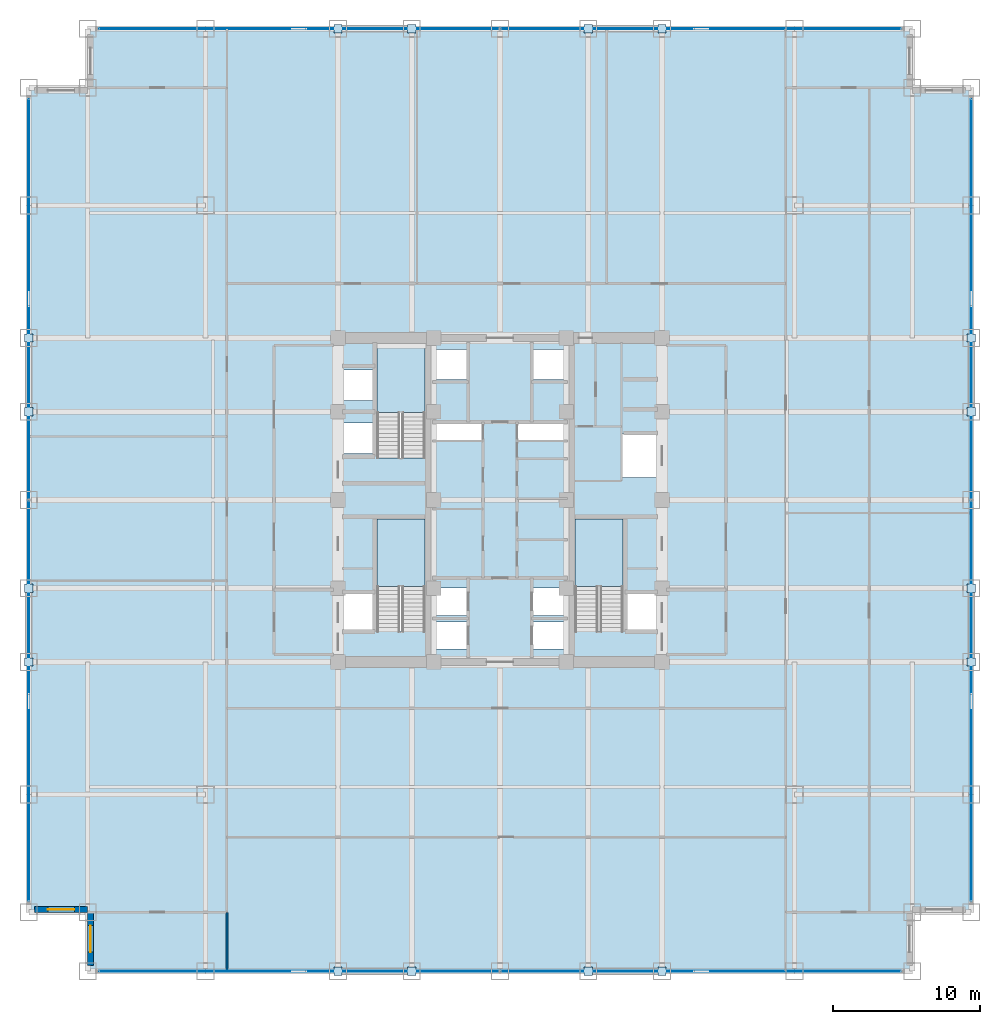
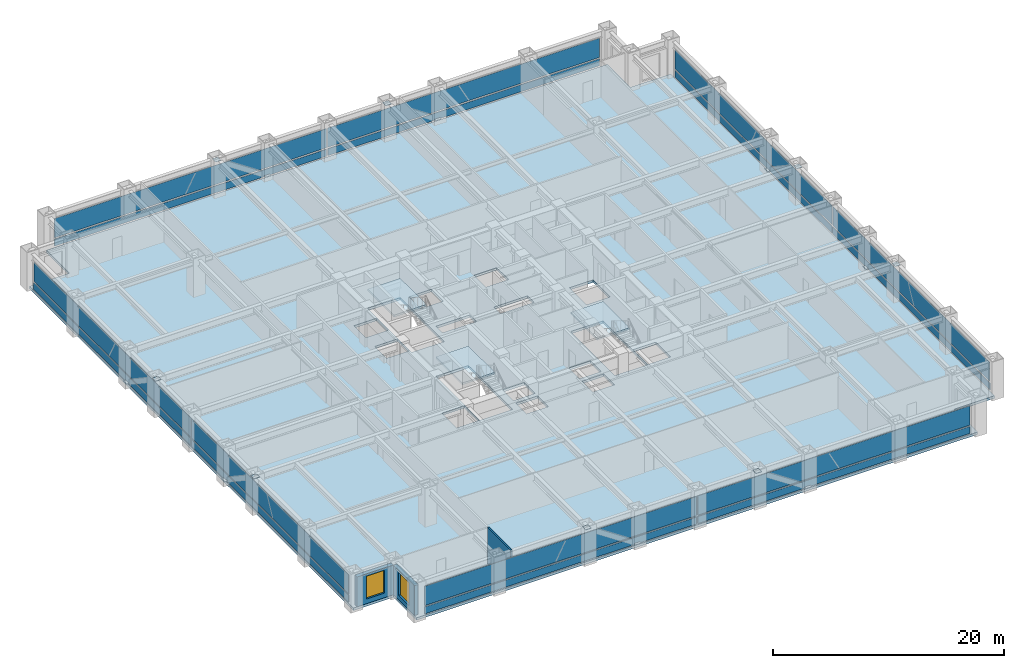
# One storey, part 22 of 28: 32 plates, 4 slabs, 3 walls, 2 windows, 2 openings, 7 elements without a shape of their own.
"""IFC4 building model written with IfcOpenShell, lengths in metres."""

from ifc_helpers import new_model, si_unit, direction, frame, frame_2d, origin, origin_2d, place, context, subcontext, project, spatial, polyline, rectangle, outline, extrude, source, transform, mapped, material, layer, layer_set, type_object, element, fill, aggregate, save


model = new_model("IFC4")

# Units and contexts
model_context = context("Model", 3, precision=1e-05, world=origin(), true_north=direction((0.0, 1.0)))
body_context = subcontext(model_context, "Body", "Model", "MODEL_VIEW")
ifc_project = project(units=[si_unit("LENGTHUNIT", "METRE"), si_unit("AREAUNIT", "SQUARE_METRE"), si_unit("VOLUMEUNIT", "CUBIC_METRE"), si_unit("PLANEANGLEUNIT", "RADIAN"), si_unit("MASSUNIT", "GRAM", prefix="KILO")], contexts=[model_context])

# Site, building, storey
site_placement = place(None, origin())
site = spatial("IfcSite", under=ifc_project, at=site_placement, CompositionType="ELEMENT")
building_placement = place(site_placement, origin())
building = spatial("IfcBuilding", under=site, at=building_placement, Name="Khorayat Bourse Tower", CompositionType="ELEMENT")
storey_placement = place(building_placement, frame((0.0, 0.0, 124.199951171875)))
storey = spatial("IfcBuildingStorey", under=building, at=storey_placement, Name="L28", CompositionType="ELEMENT", Elevation=124.199951171875)

# Stair, slab
ifc_material_1 = material(Name="Concrete C40/50", Category="concrete")
stair_type = type_object("IfcStairType", Name="STR-CORE-1550", PredefinedType="HALF_TURN_STAIR", material=ifc_material_1)
stair_1_placement = place(storey_placement, origin())
stair_1 = element("IfcStair", 1, at=stair_1_placement, inside=storey, type_object=stair_type, Name="L28 Exit Stair ST-1", PredefinedType="HALF_TURN_STAIR")
ifc_layer_1 = layer(ifc_material_1, 0.199951171875)
ifc_layer_set_1 = layer_set([ifc_layer_1], Name="Concrete C40/50")
slab_type_1 = type_object("IfcSlabType", Name="SLB-LANDING-200", PredefinedType="LANDING", material=ifc_layer_set_1)
slab_1_placement = place(storey_placement, frame((0.0, 0.0, 1.85009765625)))
slab_1 = element("IfcSlab", 2, at=slab_1_placement, type_object=slab_type_1, Name="ST-1 landing 1", PredefinedType="LANDING", context=body_context, shape_type="SweptSolid", body=[
    extrude(outline(polyline([(-5.10009765625, -5.8701171875), (-5.10009765625, -1.300048828125), (-8.35009765625, -1.300048828125), (-8.35009765625, -5.8701171875), (-5.10009765625, -5.8701171875)])), origin(), (0.0, 0.0, 1.0), 0.199951171875),
])
aggregate(stair_1, [slab_1])

stair_2_placement = place(storey_placement, origin())
stair_2 = element("IfcStair", 3, at=stair_2_placement, inside=storey, type_object=stair_type, Name="L28 Exit Stair ST-2", PredefinedType="HALF_TURN_STAIR")
slab_2_placement = place(storey_placement, frame((0.0, 0.0, 1.85009765625)))
slab_2 = element("IfcSlab", 4, at=slab_2_placement, type_object=slab_type_1, Name="ST-2 landing 1", PredefinedType="LANDING", context=body_context, shape_type="SweptSolid", body=[
    extrude(outline(polyline([(-5.10009765625, 5.929931640625), (-5.10009765625, 10.5), (-8.35009765625, 10.5), (-8.35009765625, 5.929931640625), (-5.10009765625, 5.929931640625)])), origin(), (0.0, 0.0, 1.0), 0.199951171875),
])
aggregate(stair_2, [slab_2])

stair_3_placement = place(storey_placement, origin())
stair_3 = element("IfcStair", 5, at=stair_3_placement, inside=storey, type_object=stair_type, Name="L28 Exit Stair ST-3", PredefinedType="HALF_TURN_STAIR")
slab_3_placement = place(storey_placement, frame((0.0, 0.0, 1.85009765625)))
slab_3 = element("IfcSlab", 6, at=slab_3_placement, type_object=slab_type_1, Name="ST-3 landing 1", PredefinedType="LANDING", context=body_context, shape_type="SweptSolid", body=[
    extrude(outline(polyline([(8.35009765625, -5.8701171875), (8.35009765625, -1.300048828125), (5.10009765625, -1.300048828125), (5.10009765625, -5.8701171875), (8.35009765625, -5.8701171875)])), origin(), (0.0, 0.0, 1.0), 0.199951171875),
])
aggregate(stair_3, [slab_3])

# Slab
ifc_layer_2 = layer(ifc_material_1, 0.260009765625)
ifc_layer_set_2 = layer_set([ifc_layer_2], Name="Concrete C40/50")
slab_type_2 = type_object("IfcSlabType", Name="SLB-TRADE-260", PredefinedType="FLOOR", material=ifc_layer_set_2)
slab_4_placement = place(storey_placement, frame((0.0, 0.0, -0.260009765625)))
element("IfcSlab", 7, at=slab_4_placement, inside=storey, type_object=slab_type_2, Name="L28 Main Floor Slab", PredefinedType="FLOOR", context=body_context, shape_type="SweptSolid", body=[
    extrude(outline(polyline([(-28.0, -32.0), (28.0, -32.0), (28.0, -28.0), (32.0, -28.0), (32.0, 28.0), (28.0, 28.0), (28.0, 32.0), (-28.0, 32.0), (-28.0, 28.0), (-32.0, 28.0), (-32.0, -28.0), (-28.0, -28.0), (-28.0, -32.0)]), holes=[polyline([(-8.35009765625, -8.945068359375), (-5.10009765625, -8.945068359375), (-5.10009765625, -1.300048828125), (-8.35009765625, -1.300048828125), (-8.35009765625, -8.945068359375)]), polyline([(-8.35009765625, 2.85498046875), (-5.10009765625, 2.85498046875), (-5.10009765625, 10.5), (-8.35009765625, 10.5), (-8.35009765625, 2.85498046875)]), polyline([(5.10009765625, -8.945068359375), (8.35009765625, -8.945068359375), (8.35009765625, -1.300048828125), (5.10009765625, -1.300048828125), (5.10009765625, -8.945068359375)]), polyline([(-4.3798828125, -10.1298828125), (-2.219970703125, -10.1298828125), (-2.219970703125, -8.27001953125), (-4.3798828125, -8.27001953125), (-4.3798828125, -10.1298828125)]), polyline([(2.219970703125, -10.1298828125), (4.3798828125, -10.1298828125), (4.3798828125, -8.27001953125), (2.219970703125, -8.27001953125), (2.219970703125, -10.1298828125)]), polyline([(-4.3798828125, -7.830078125), (-2.219970703125, -7.830078125), (-2.219970703125, -5.969970703125), (-4.3798828125, -5.969970703125), (-4.3798828125, -7.830078125)]), polyline([(2.219970703125, -7.830078125), (4.3798828125, -7.830078125), (4.3798828125, -5.969970703125), (2.219970703125, -5.969970703125), (2.219970703125, -7.830078125)]), polyline([(-4.3798828125, 8.169921875), (-2.1201171875, 8.169921875), (-2.1201171875, 10.22998046875), (-4.3798828125, 10.22998046875), (-4.3798828125, 8.169921875)]), polyline([(2.1201171875, 8.169921875), (4.3798828125, 8.169921875), (4.3798828125, 10.22998046875), (2.1201171875, 10.22998046875), (2.1201171875, 8.169921875)]), polyline([(-10.679931640625, 3.169921875), (-8.419921875, 3.169921875), (-8.419921875, 5.22998046875), (-10.679931640625, 5.22998046875), (-10.679931640625, 3.169921875)]), polyline([(-10.679931640625, 6.77001953125), (-8.419921875, 6.77001953125), (-8.419921875, 8.830078125), (-10.679931640625, 8.830078125), (-10.679931640625, 6.77001953125)]), polyline([(-10.679931640625, -8.929931640625), (-8.419921875, -8.929931640625), (-8.419921875, -6.3701171875), (-10.679931640625, -6.3701171875), (-10.679931640625, -8.929931640625)]), polyline([(8.419921875, -8.929931640625), (10.679931640625, -8.929931640625), (10.679931640625, -6.3701171875), (8.419921875, -6.3701171875), (8.419921875, -8.929931640625)]), polyline([(8.320068359375, 1.52001953125), (10.679931640625, 1.52001953125), (10.679931640625, 4.47998046875), (8.320068359375, 4.47998046875), (8.320068359375, 1.52001953125)]), polyline([(-4.56005859375, 4.080078125), (-1.18994140625, 4.080078125), (-1.18994140625, 5.219970703125), (-4.56005859375, 5.219970703125), (-4.56005859375, 4.080078125)]), polyline([(1.18994140625, 4.080078125), (4.56005859375, 4.080078125), (4.56005859375, 5.219970703125), (1.18994140625, 5.219970703125), (1.18994140625, 4.080078125)])]), origin(), (0.0, 0.0, 1.0), 0.260009765625),
])

# Plates
ifc_material_2 = material(Name="Steel EN 10025-2 S355J2", Category="steel")
ifc_layer_3 = layer(ifc_material_2, 0.02490234375)
ifc_layer_set_3 = layer_set([ifc_layer_3], Name="Steel EN 10025-2 S355J2")
plate_type_1 = type_object("IfcPlateType", Name="PLT-ENDCAP-25", PredefinedType="SHEET", material=ifc_layer_set_3)
shared_shape_1 = source(origin(), body_context, "Body", "SweptSolid", [
    extrude(rectangle(XDim=0.56005859375, YDim=0.56005859375, at=origin_2d()), origin(), (0.0, 0.0, 1.0), 0.02490234375),
])
for number, where, z_axis, x_axis, name in (
    (8, (-11.0, -32.0, 3.57763671875), (0.0, 0.0, 1.0), (1.0, 0.0, 0.0), "L28 Perimeter Brace End Plate 001"),
    (9, (-6.0, -32.0, 0.237548828125), (0.0, 0.0, 1.0), (1.0, 0.0, 0.0), "L28 Perimeter Brace End Plate 002"),
    (10, (6.0, -32.0, 3.57763671875), (0.0, 0.0, 1.0), (1.0, 0.0, 0.0), "L28 Perimeter Brace End Plate 003"),
    (11, (11.0, -32.0, 0.237548828125), (0.0, 0.0, 1.0), (1.0, 0.0, 0.0), "L28 Perimeter Brace End Plate 004"),
    (12, (-11.0, 32.0, 3.57763671875), (0.0, 0.0, 1.0), (1.0, 0.0, 0.0), "L28 Perimeter Brace End Plate 005"),
    (13, (-6.0, 32.0, 0.237548828125), (0.0, 0.0, 1.0), (1.0, 0.0, 0.0), "L28 Perimeter Brace End Plate 006"),
    (14, (6.0, 32.0, 3.57763671875), (0.0, 0.0, 1.0), (1.0, 0.0, 0.0), "L28 Perimeter Brace End Plate 007"),
    (15, (11.0, 32.0, 0.237548828125), (0.0, 0.0, 1.0), (1.0, 0.0, 0.0), "L28 Perimeter Brace End Plate 008"),
    (16, (-32.0, -11.0, 3.57763671875), (0.0, 0.0, 1.0), (1.0, 0.0, 0.0), "L28 Perimeter Brace End Plate 009"),
    (17, (-32.0, -6.0, 0.237548828125), (0.0, 0.0, 1.0), (1.0, 0.0, 0.0), "L28 Perimeter Brace End Plate 010"),
    (18, (-32.0, 6.0, 3.57763671875), (0.0, 0.0, 1.0), (1.0, 0.0, 0.0), "L28 Perimeter Brace End Plate 011"),
    (19, (-32.0, 11.0, 0.237548828125), (0.0, 0.0, 1.0), (1.0, 0.0, 0.0), "L28 Perimeter Brace End Plate 012"),
    (20, (32.0, -11.0, 3.57763671875), (0.0, 0.0, 1.0), (1.0, 0.0, 0.0), "L28 Perimeter Brace End Plate 013"),
    (21, (32.0, -6.0, 0.237548828125), (0.0, 0.0, 1.0), (1.0, 0.0, 0.0), "L28 Perimeter Brace End Plate 014"),
    (22, (32.0, 6.0, 3.57763671875), (0.0, 0.0, 1.0), (1.0, 0.0, 0.0), "L28 Perimeter Brace End Plate 015"),
    (23, (32.0, 11.0, 0.237548828125), (0.0, 0.0, 1.0), (1.0, 0.0, 0.0), "L28 Perimeter Brace End Plate 016"),
):
    element("IfcPlate", number, at=place(storey_placement, frame(where, z_axis=z_axis, x_axis=x_axis)), inside=storey, type_object=plate_type_1, Name=name, PredefinedType="SHEET", context=body_context, shape_type="MappedRepresentation", body=[
        mapped(shared_shape_1, transform((0.0, 0.0, 0.0), scale=1.0)),
    ])

# Curtain wall, plates
ifc_material_3 = material(Name="Aluminium EN AW-6063 T6", Category="aluminium")
curtain_wall_type = type_object("IfcCurtainWallType", Name="CW-SYS-02", PredefinedType="NOTDEFINED", material=ifc_material_3)
curtain_wall_1_placement = place(storey_placement, origin())
curtain_wall_1 = element("IfcCurtainWall", 24, at=curtain_wall_1_placement, inside=storey, type_object=curtain_wall_type, Name="L28 Curtain Wall CW-L28-S1", PredefinedType="NOTDEFINED")
ifc_material_4 = material(Name="Honed desert limestone insulated spandrel", Category="masonry")
ifc_layer_4 = layer(ifc_material_4, 0.06494140625)
ifc_layer_set_4 = layer_set([ifc_layer_4], Name="Honed desert limestone insulated spandrel")
plate_type_2 = type_object("IfcPlateType", Name="CWP-SPAND-03", PredefinedType="CURTAIN_PANEL", material=ifc_layer_set_4)
shared_shape_2 = source(origin(), body_context, "Body", "SweptSolid", [
    extrude(rectangle(XDim=27.139892578125, YDim=0.06494140625, at=origin_2d()), origin(), (0.0, 0.0, 1.0), 0.739990234375),
])
plate_1_placement = place(storey_placement, frame((-13.639892578125, -32.0, 0.14013671875), z_axis=(0.0, 0.0, 1.0), x_axis=(1.0, 0.0, 0.0)))
plate_1 = element("IfcPlate", 25, at=plate_1_placement, type_object=plate_type_2, Name="CW-L28-S1 Spandrel Panel 1-1", PredefinedType="CURTAIN_PANEL", context=body_context, shape_type="MappedRepresentation", body=[
    mapped(shared_shape_2, transform((0.0, 0.0, 0.0), scale=1.0)),
])
plate_2_placement = place(storey_placement, frame((13.639892578125, -32.0, 0.14013671875), z_axis=(0.0, 0.0, 1.0), x_axis=(1.0, 0.0, 0.0)))
plate_2 = element("IfcPlate", 26, at=plate_2_placement, type_object=plate_type_2, Name="CW-L28-S1 Spandrel Panel 2-1", PredefinedType="CURTAIN_PANEL", context=body_context, shape_type="MappedRepresentation", body=[
    mapped(shared_shape_2, transform((0.0, 0.0, 0.0), scale=1.0)),
])

curtain_wall_2_placement = place(storey_placement, origin())
curtain_wall_2 = element("IfcCurtainWall", 27, at=curtain_wall_2_placement, inside=storey, type_object=curtain_wall_type, Name="L28 Curtain Wall CW-L28-N1", PredefinedType="NOTDEFINED")
plate_3_placement = place(storey_placement, frame((-13.639892578125, 32.0, 0.14013671875), z_axis=(0.0, 0.0, 1.0), x_axis=(1.0, 0.0, 0.0)))
plate_3 = element("IfcPlate", 28, at=plate_3_placement, type_object=plate_type_2, Name="CW-L28-N1 Spandrel Panel 1-1", PredefinedType="CURTAIN_PANEL", context=body_context, shape_type="MappedRepresentation", body=[
    mapped(shared_shape_2, transform((0.0, 0.0, 0.0), scale=1.0)),
])
plate_4_placement = place(storey_placement, frame((13.639892578125, 32.0, 0.14013671875), z_axis=(0.0, 0.0, 1.0), x_axis=(1.0, 0.0, 0.0)))
plate_4 = element("IfcPlate", 29, at=plate_4_placement, type_object=plate_type_2, Name="CW-L28-N1 Spandrel Panel 2-1", PredefinedType="CURTAIN_PANEL", context=body_context, shape_type="MappedRepresentation", body=[
    mapped(shared_shape_2, transform((0.0, 0.0, 0.0), scale=1.0)),
])

curtain_wall_3_placement = place(storey_placement, origin())
curtain_wall_3 = element("IfcCurtainWall", 30, at=curtain_wall_3_placement, inside=storey, type_object=curtain_wall_type, Name="L28 Curtain Wall CW-L28-W1", PredefinedType="NOTDEFINED")
plate_5_placement = place(storey_placement, frame((-32.0, -13.639892578125, 0.14013671875), z_axis=(0.0, 0.0, 1.0), x_axis=(0.0, 1.0, 0.0)))
plate_5 = element("IfcPlate", 31, at=plate_5_placement, type_object=plate_type_2, Name="CW-L28-W1 Spandrel Panel 1-1", PredefinedType="CURTAIN_PANEL", context=body_context, shape_type="MappedRepresentation", body=[
    mapped(shared_shape_2, transform((0.0, 0.0, 0.0), scale=1.0)),
])
plate_6_placement = place(storey_placement, frame((-32.0, 13.639892578125, 0.14013671875), z_axis=(0.0, 0.0, 1.0), x_axis=(0.0, 1.0, 0.0)))
plate_6 = element("IfcPlate", 32, at=plate_6_placement, type_object=plate_type_2, Name="CW-L28-W1 Spandrel Panel 2-1", PredefinedType="CURTAIN_PANEL", context=body_context, shape_type="MappedRepresentation", body=[
    mapped(shared_shape_2, transform((0.0, 0.0, 0.0), scale=1.0)),
])

curtain_wall_4_placement = place(storey_placement, origin())
curtain_wall_4 = element("IfcCurtainWall", 33, at=curtain_wall_4_placement, inside=storey, type_object=curtain_wall_type, Name="L28 Curtain Wall CW-L28-E1", PredefinedType="NOTDEFINED")
plate_7_placement = place(storey_placement, frame((32.0, -13.639892578125, 0.14013671875), z_axis=(0.0, 0.0, 1.0), x_axis=(0.0, 1.0, 0.0)))
plate_7 = element("IfcPlate", 34, at=plate_7_placement, type_object=plate_type_2, Name="CW-L28-E1 Spandrel Panel 1-1", PredefinedType="CURTAIN_PANEL", context=body_context, shape_type="MappedRepresentation", body=[
    mapped(shared_shape_2, transform((0.0, 0.0, 0.0), scale=1.0)),
])
plate_8_placement = place(storey_placement, frame((32.0, 13.639892578125, 0.14013671875), z_axis=(0.0, 0.0, 1.0), x_axis=(0.0, 1.0, 0.0)))
plate_8 = element("IfcPlate", 35, at=plate_8_placement, type_object=plate_type_2, Name="CW-L28-E1 Spandrel Panel 2-1", PredefinedType="CURTAIN_PANEL", context=body_context, shape_type="MappedRepresentation", body=[
    mapped(shared_shape_2, transform((0.0, 0.0, 0.0), scale=1.0)),
])

# Plate
ifc_material_5 = material(Name="Low-E solar-control laminated double glazing", Category="glass")
ifc_layer_5 = layer(ifc_material_5, 0.0419921875)
ifc_layer_set_5 = layer_set([ifc_layer_5], Name="Low-E solar-control laminated double glazing")
plate_type_3 = type_object("IfcPlateType", Name="CWP-FACET-02", PredefinedType="CURTAIN_PANEL", material=ifc_layer_set_5)
shared_shape_3 = source(origin(), body_context, "Body", "SweptSolid", [
    extrude(rectangle(XDim=27.139892578125, YDim=0.0419921875, at=origin_2d()), origin(), (0.0, 0.0, 1.0), 2.030029296875),
])
plate_9_placement = place(storey_placement, frame((-13.639892578125, -32.0, 1.02001953125), z_axis=(0.0, 0.0, 1.0), x_axis=(1.0, 0.0, 0.0)))
plate_9 = element("IfcPlate", 36, at=plate_9_placement, type_object=plate_type_3, Name="CW-L28-S1 Vision Panel 1-2", PredefinedType="CURTAIN_PANEL", context=body_context, shape_type="MappedRepresentation", body=[
    mapped(shared_shape_3, transform((0.0, 0.0, 0.0), scale=1.0)),
])

plate_10_placement = place(storey_placement, frame((13.639892578125, -32.0, 1.02001953125), z_axis=(0.0, 0.0, 1.0), x_axis=(1.0, 0.0, 0.0)))
plate_10 = element("IfcPlate", 37, at=plate_10_placement, type_object=plate_type_3, Name="CW-L28-S1 Vision Panel 2-2", PredefinedType="CURTAIN_PANEL", context=body_context, shape_type="MappedRepresentation", body=[
    mapped(shared_shape_3, transform((0.0, 0.0, 0.0), scale=1.0)),
])

aggregate(curtain_wall_1, [plate_1, plate_9, plate_2, plate_10])

plate_11_placement = place(storey_placement, frame((-13.639892578125, 32.0, 1.02001953125), z_axis=(0.0, 0.0, 1.0), x_axis=(1.0, 0.0, 0.0)))
plate_11 = element("IfcPlate", 38, at=plate_11_placement, type_object=plate_type_3, Name="CW-L28-N1 Vision Panel 1-2", PredefinedType="CURTAIN_PANEL", context=body_context, shape_type="MappedRepresentation", body=[
    mapped(shared_shape_3, transform((0.0, 0.0, 0.0), scale=1.0)),
])

plate_12_placement = place(storey_placement, frame((13.639892578125, 32.0, 1.02001953125), z_axis=(0.0, 0.0, 1.0), x_axis=(1.0, 0.0, 0.0)))
plate_12 = element("IfcPlate", 39, at=plate_12_placement, type_object=plate_type_3, Name="CW-L28-N1 Vision Panel 2-2", PredefinedType="CURTAIN_PANEL", context=body_context, shape_type="MappedRepresentation", body=[
    mapped(shared_shape_3, transform((0.0, 0.0, 0.0), scale=1.0)),
])

aggregate(curtain_wall_2, [plate_3, plate_11, plate_4, plate_12])

plate_13_placement = place(storey_placement, frame((-32.0, -13.639892578125, 1.02001953125), z_axis=(0.0, 0.0, 1.0), x_axis=(0.0, 1.0, 0.0)))
plate_13 = element("IfcPlate", 40, at=plate_13_placement, type_object=plate_type_3, Name="CW-L28-W1 Vision Panel 1-2", PredefinedType="CURTAIN_PANEL", context=body_context, shape_type="MappedRepresentation", body=[
    mapped(shared_shape_3, transform((0.0, 0.0, 0.0), scale=1.0)),
])

plate_14_placement = place(storey_placement, frame((-32.0, 13.639892578125, 1.02001953125), z_axis=(0.0, 0.0, 1.0), x_axis=(0.0, 1.0, 0.0)))
plate_14 = element("IfcPlate", 41, at=plate_14_placement, type_object=plate_type_3, Name="CW-L28-W1 Vision Panel 2-2", PredefinedType="CURTAIN_PANEL", context=body_context, shape_type="MappedRepresentation", body=[
    mapped(shared_shape_3, transform((0.0, 0.0, 0.0), scale=1.0)),
])

aggregate(curtain_wall_3, [plate_5, plate_13, plate_6, plate_14])

plate_15_placement = place(storey_placement, frame((32.0, -13.639892578125, 1.02001953125), z_axis=(0.0, 0.0, 1.0), x_axis=(0.0, 1.0, 0.0)))
plate_15 = element("IfcPlate", 42, at=plate_15_placement, type_object=plate_type_3, Name="CW-L28-E1 Vision Panel 1-2", PredefinedType="CURTAIN_PANEL", context=body_context, shape_type="MappedRepresentation", body=[
    mapped(shared_shape_3, transform((0.0, 0.0, 0.0), scale=1.0)),
])

plate_16_placement = place(storey_placement, frame((32.0, 13.639892578125, 1.02001953125), z_axis=(0.0, 0.0, 1.0), x_axis=(0.0, 1.0, 0.0)))
plate_16 = element("IfcPlate", 43, at=plate_16_placement, type_object=plate_type_3, Name="CW-L28-E1 Vision Panel 2-2", PredefinedType="CURTAIN_PANEL", context=body_context, shape_type="MappedRepresentation", body=[
    mapped(shared_shape_3, transform((0.0, 0.0, 0.0), scale=1.0)),
])

aggregate(curtain_wall_4, [plate_7, plate_15, plate_8, plate_16])

# Wall, opening, window
ifc_material_6 = material(Name="Precast concrete C45/55", Category="concrete")
ifc_layer_6 = layer(ifc_material_6, 0.3798828125)
ifc_layer_set_6 = layer_set([ifc_layer_6], Name="Precast concrete C45/55")
wall_type_1 = type_object("IfcWallType", Name="WAL-EXT-STONE-380", PredefinedType="STANDARD", material=ifc_layer_set_6)
shared_shape_4 = source(origin(), body_context, "Body", "SweptSolid", [
    extrude(rectangle(XDim=3.6201171875, YDim=0.3798828125, at=frame_2d((1.81005859375, 0.0))), origin(), (0.0, 0.0, 1.0), 3.14501953125),
])
wall_1_placement = place(storey_placement, frame((-28.0, -27.81005859375, 0.0), z_axis=(0.0, 0.0, 1.0), x_axis=(-1.0, 0.0, 0.0)))
wall_1 = element("IfcWall", 44, at=wall_1_placement, inside=storey, type_object=wall_type_1, Name="L28 Re-Entrant Notch Limestone Wall SW-H", PredefinedType="STANDARD", context=body_context, shape_type="MappedRepresentation", body=[
    mapped(shared_shape_4, transform((0.0, 0.0, 0.0), scale=1.0)),
])
shared_shape_5 = source(origin(), body_context, "Body", "SweptSolid", [
    extrude(rectangle(XDim=1.800048828125, YDim=2.39990234375, at=frame_2d((0.89990234375, 1.199951171875))), frame((0.0, 0.199951171875, 0.0), z_axis=(0.0, -1.0, 0.0), x_axis=(1.0, 0.0, 0.0)), (0.0, 0.0, 1.0), 0.39990234375),
])
opening_1_placement = place(wall_1_placement, frame((0.909912109375, 0.0, 0.5)))
opening_1 = element("IfcOpeningElement", 45, at=opening_1_placement, cuts=wall_1, Name="Opening WN-04", PredefinedType="OPENING", context=body_context, shape_type="MappedRepresentation", body=[
    mapped(shared_shape_5, transform((0.0, 0.0, 0.0), scale=1.0)),
])
ifc_material_7 = material(Name="Low-E acoustic laminated double glazing", Category="glass")
window_type = type_object("IfcWindowType", Name="WIN-NOTCH-1800x2400", PartitioningType="SINGLE_PANEL", PredefinedType="WINDOW", material=ifc_material_7)
shared_shape_6 = source(origin(), body_context, "Body", "SweptSolid", [
    extrude(rectangle(XDim=1.800048828125, YDim=2.39990234375, at=frame_2d((0.89990234375, 1.199951171875))), frame((0.0, 0.030029296875, 0.0), z_axis=(0.0, -1.0, 0.0), x_axis=(1.0, 0.0, 0.0)), (0.0, 0.0, 1.0), 0.06005859375),
])
window_1_placement = place(opening_1_placement, origin())
window_1 = element("IfcWindow", 46, at=window_1_placement, inside=storey, type_object=window_type, Name="L28 Facade Window 1", OverallHeight=2.39990234375, OverallWidth=1.800048828125, PartitioningType="SINGLE_PANEL", PredefinedType="WINDOW", context=body_context, shape_type="MappedRepresentation", body=[
    mapped(shared_shape_6, transform((0.0, 0.0, 0.0), scale=1.0)),
])
fill(opening_1, window_1)

wall_2_placement = place(storey_placement, frame((-27.81005859375, -31.6201171875, 0.0), z_axis=(0.0, 0.0, 1.0), x_axis=(0.0, 1.0, 0.0)))
wall_2 = element("IfcWall", 47, at=wall_2_placement, inside=storey, type_object=wall_type_1, Name="L28 Re-Entrant Notch Limestone Wall SW-V", PredefinedType="STANDARD", context=body_context, shape_type="MappedRepresentation", body=[
    mapped(shared_shape_4, transform((0.0, 0.0, 0.0), scale=1.0)),
])
opening_2_placement = place(wall_2_placement, frame((0.909912109375, 0.0, 0.5)))
opening_2 = element("IfcOpeningElement", 48, at=opening_2_placement, cuts=wall_2, Name="Opening WN-04", PredefinedType="OPENING", context=body_context, shape_type="MappedRepresentation", body=[
    mapped(shared_shape_5, transform((0.0, 0.0, 0.0), scale=1.0)),
])
window_2_placement = place(opening_2_placement, origin())
window_2 = element("IfcWindow", 49, at=window_2_placement, inside=storey, type_object=window_type, Name="L28 Facade Window 1", OverallHeight=2.39990234375, OverallWidth=1.800048828125, PartitioningType="SINGLE_PANEL", PredefinedType="WINDOW", context=body_context, shape_type="MappedRepresentation", body=[
    mapped(shared_shape_6, transform((0.0, 0.0, 0.0), scale=1.0)),
])
fill(opening_2, window_2)

# Wall
ifc_material_8 = material(Name="Gypsum plasterboard twin-frame partition")
ifc_layer_7 = layer(ifc_material_8, 0.14990234375)
ifc_layer_set_7 = layer_set([ifc_layer_7], Name="Gypsum plasterboard twin-frame partition")
wall_type_2 = type_object("IfcWallType", Name="WAL-PART-SUITE-150", PredefinedType="PARTITIONING", material=ifc_layer_set_7)
shared_shape_7 = source(origin(), body_context, "Body", "SweptSolid", [
    extrude(rectangle(XDim=4.0, YDim=0.14990234375, at=frame_2d((2.0, 0.0))), origin(), (0.0, 0.0, 1.0), 3.840087890625),
])
wall_3_placement = place(storey_placement, frame((-18.550048828125, -32.0, 0.0), z_axis=(0.0, 0.0, 1.0), x_axis=(0.0, 1.0, 0.0)))
element("IfcWall", 50, at=wall_3_placement, inside=storey, type_object=wall_type_2, Name="L28 Partition WAL-L28-SCW-END", PredefinedType="PARTITIONING", context=body_context, shape_type="MappedRepresentation", body=[
    mapped(shared_shape_7, transform((0.0, 0.0, 0.0), scale=1.0)),
])

save(model, "model.ifc")
